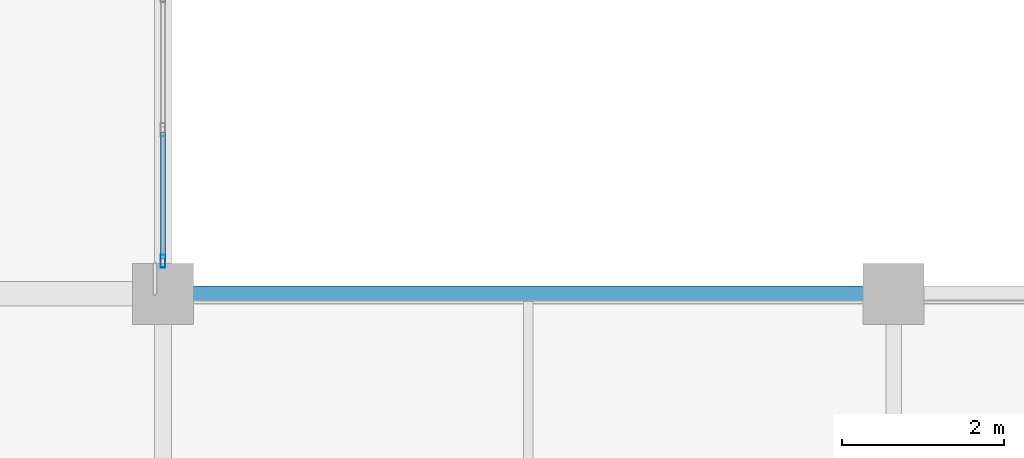
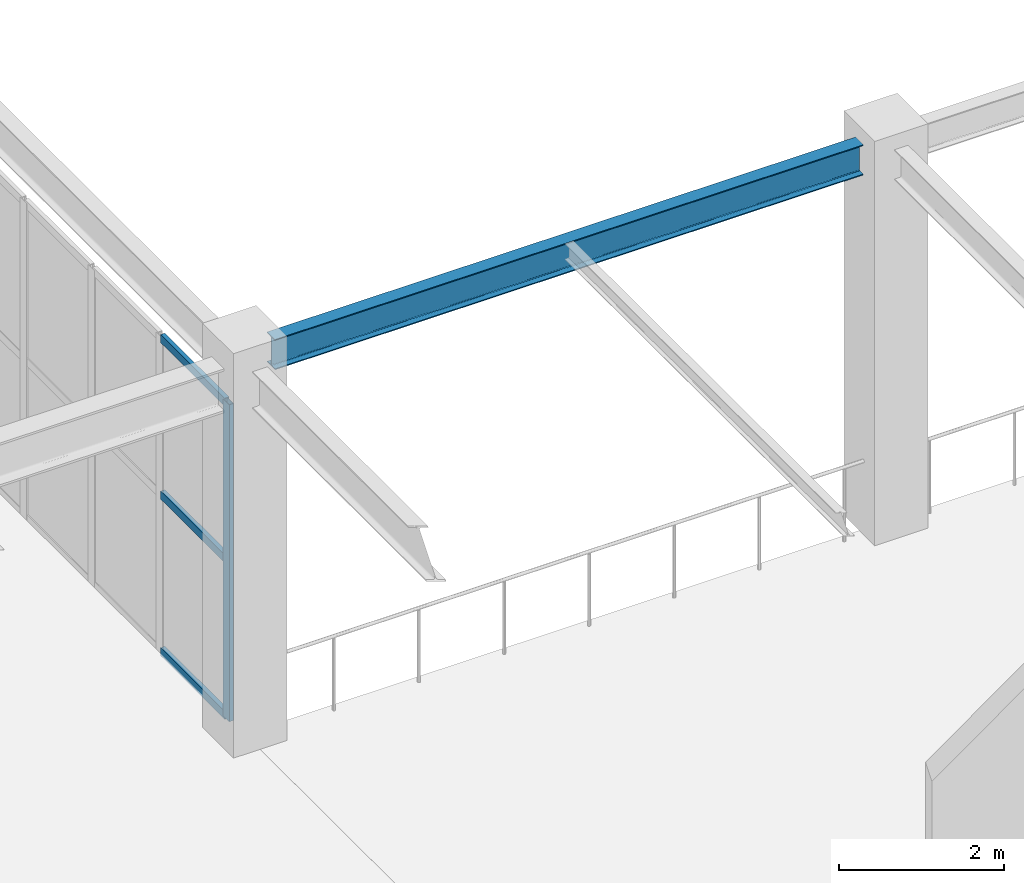
# One storey, part 58 of 223: 4 members, 1 beam, 1 element without a shape of its own.
"""IFC4 building model written with IfcOpenShell, lengths in metres."""

from ifc_helpers import new_model, si_unit, direction, frame, origin, origin_2d, place, context, subcontext, project, spatial, hollow_rectangle, i_section, extrude, material, layer, layer_set, material_profile, profile_set, type_object, element, aggregate, save


model = new_model("IFC4")

# Units and contexts
model_context = context("Model", 3, precision=1e-05, world=origin(), true_north=direction((0.0, 1.0)))
body_context = subcontext(model_context, "Body", "Model", "MODEL_VIEW")
ifc_project = project(units=[si_unit("LENGTHUNIT", "METRE"), si_unit("AREAUNIT", "SQUARE_METRE"), si_unit("VOLUMEUNIT", "CUBIC_METRE"), si_unit("PLANEANGLEUNIT", "RADIAN"), si_unit("MASSUNIT", "GRAM", prefix="KILO")], contexts=[model_context])

# Site, building, storey
site_placement = place(None, origin())
site = spatial("IfcSite", under=ifc_project, at=site_placement, CompositionType="ELEMENT")
building_placement = place(site_placement, origin())
building = spatial("IfcBuilding", under=site, at=building_placement, Name="Dornveld Trade and Exhibition Forum", CompositionType="ELEMENT")
storey_placement = place(building_placement, frame((0.0, 0.0, 6.0)))
storey = spatial("IfcBuildingStorey", under=building, at=storey_placement, Name="L01", CompositionType="ELEMENT", Elevation=6.0)

# Beam
ifc_material_1 = material(Name="Steel S355J2", Category="steel")
ifc_material_profile_1 = material_profile(ifc_material_1, i_section(OverallWidth=0.18994140625, OverallDepth=0.449951171875, WebThickness=0.009521484375, FlangeThickness=0.0146484375, FilletRadius=0.02099609375, at=origin_2d()), Name="IPE 450")
ifc_profile_set_1 = profile_set([ifc_material_profile_1], Name="Steel S355J2")
beam_type = type_object("IfcBeamType", Name="BM-SEC-450", PredefinedType="BEAM", material=ifc_profile_set_1)
beam_placement = place(storey_placement, frame((153.37109375, 54.0, 5.554931640625), z_axis=(1.0, 0.0, 0.0), x_axis=(0.0, 1.0, 0.0)))
element("IfcBeam", 1, at=beam_placement, inside=storey, type_object=beam_type, Name="L01 X-girder 1741", PredefinedType="BEAM", context=body_context, shape_type="SweptSolid", body=[
    extrude(i_section(OverallWidth=0.18994140625, OverallDepth=0.449951171875, WebThickness=0.009521484375, FlangeThickness=0.0146484375, FilletRadius=0.02099609375, at=origin_2d()), origin(), (0.0, 0.0, 1.0), 8.2578125),
])

# Curtain wall, members
ifc_material_2 = material(Name="Dark-bronze anodised aluminium and low-E glass", Category="aluminium")
ifc_layer = layer(ifc_material_2, 0.159912109375)
ifc_layer_set = layer_set([ifc_layer], Name="Dark-bronze anodised aluminium and low-E glass")
curtain_wall_type = type_object("IfcCurtainWallType", Name="CW-SYS-06", PredefinedType="USERDEFINED", material=ifc_layer_set)
curtain_wall_placement = place(storey_placement, origin())
curtain_wall = element("IfcCurtainWall", 2, at=curtain_wall_placement, inside=storey, type_object=curtain_wall_type, Name="L01 unitised curtain wall 60", ObjectType="UNITISED_CURTAIN_WALL", PredefinedType="USERDEFINED")
ifc_material_3 = material(Name="Dark-bronze anodised aluminium", Category="aluminium")
ifc_material_profile_2 = material_profile(ifc_material_3, hollow_rectangle(XDim=0.06005859375, YDim=0.159912109375, WallThickness=0.00390625, at=origin_2d()), Name="RHS 160x60x4")
ifc_profile_set_2 = profile_set([ifc_material_profile_2], Name="Dark-bronze anodised aluminium")
member_type_1 = type_object("IfcMemberType", Name="CW-MUL-160", PredefinedType="MULLION", material=ifc_profile_set_2)
member_1_placement = place(storey_placement, frame((153.0, 54.40087890625, -0.00390625), z_axis=(0.0, 0.0, 1.0), x_axis=(-1.0, 0.0, 0.0)))
member_1 = element("IfcMember", 3, at=member_1_placement, type_object=member_type_1, Name="CW-06 mullion 1", PredefinedType="MULLION", context=body_context, shape_type="SweptSolid", body=[
    extrude(hollow_rectangle(XDim=0.06005859375, YDim=0.159912109375, WallThickness=0.00390625, at=origin_2d()), origin(), (0.0, 0.0, 1.0), 4.703857421875),
])
ifc_material_4 = material(Name="Dark-bronze anodised aluminium", Category="aluminium")
ifc_material_profile_3 = material_profile(ifc_material_4, hollow_rectangle(XDim=0.06005859375, YDim=0.1201171875, WallThickness=0.00390625, at=origin_2d()), Name="RHS 120x60x4")
ifc_profile_set_3 = profile_set([ifc_material_profile_3], Name="Dark-bronze anodised aluminium")
member_type_2 = type_object("IfcMemberType", Name="CW-TRN-120", PredefinedType="USERDEFINED", material=ifc_profile_set_3)
member_2_placement = place(storey_placement, frame((153.0, 54.430908203125, 0.02587890625), z_axis=(0.0, 1.0, 0.0), x_axis=(-1.0, 0.0, 0.0)))
member_2 = element("IfcMember", 4, at=member_2_placement, type_object=member_type_2, Name="CW-06 transom 1.1", ObjectType="TRANSOM", PredefinedType="USERDEFINED", context=body_context, shape_type="SweptSolid", body=[
    extrude(hollow_rectangle(XDim=0.06005859375, YDim=0.1201171875, WallThickness=0.00390625, at=origin_2d()), origin(), (0.0, 0.0, 1.0), 1.561767578125),
])
member_3_placement = place(storey_placement, frame((153.0, 54.430908203125, 2.347900390625), z_axis=(0.0, 1.0, 0.0), x_axis=(-1.0, 0.0, 0.0)))
member_3 = element("IfcMember", 5, at=member_3_placement, type_object=member_type_2, Name="CW-06 transom 1.2", ObjectType="TRANSOM", PredefinedType="USERDEFINED", context=body_context, shape_type="SweptSolid", body=[
    extrude(hollow_rectangle(XDim=0.06005859375, YDim=0.1201171875, WallThickness=0.00390625, at=origin_2d()), origin(), (0.0, 0.0, 1.0), 1.561767578125),
])
member_4_placement = place(storey_placement, frame((153.0, 54.430908203125, 4.669921875), z_axis=(0.0, 1.0, 0.0), x_axis=(-1.0, 0.0, 0.0)))
member_4 = element("IfcMember", 6, at=member_4_placement, type_object=member_type_2, Name="CW-06 transom 1.3", ObjectType="TRANSOM", PredefinedType="USERDEFINED", context=body_context, shape_type="SweptSolid", body=[
    extrude(hollow_rectangle(XDim=0.06005859375, YDim=0.1201171875, WallThickness=0.00390625, at=origin_2d()), origin(), (0.0, 0.0, 1.0), 1.561767578125),
])
aggregate(curtain_wall, [member_1, member_2, member_3, member_4])

save(model, "model.ifc")
